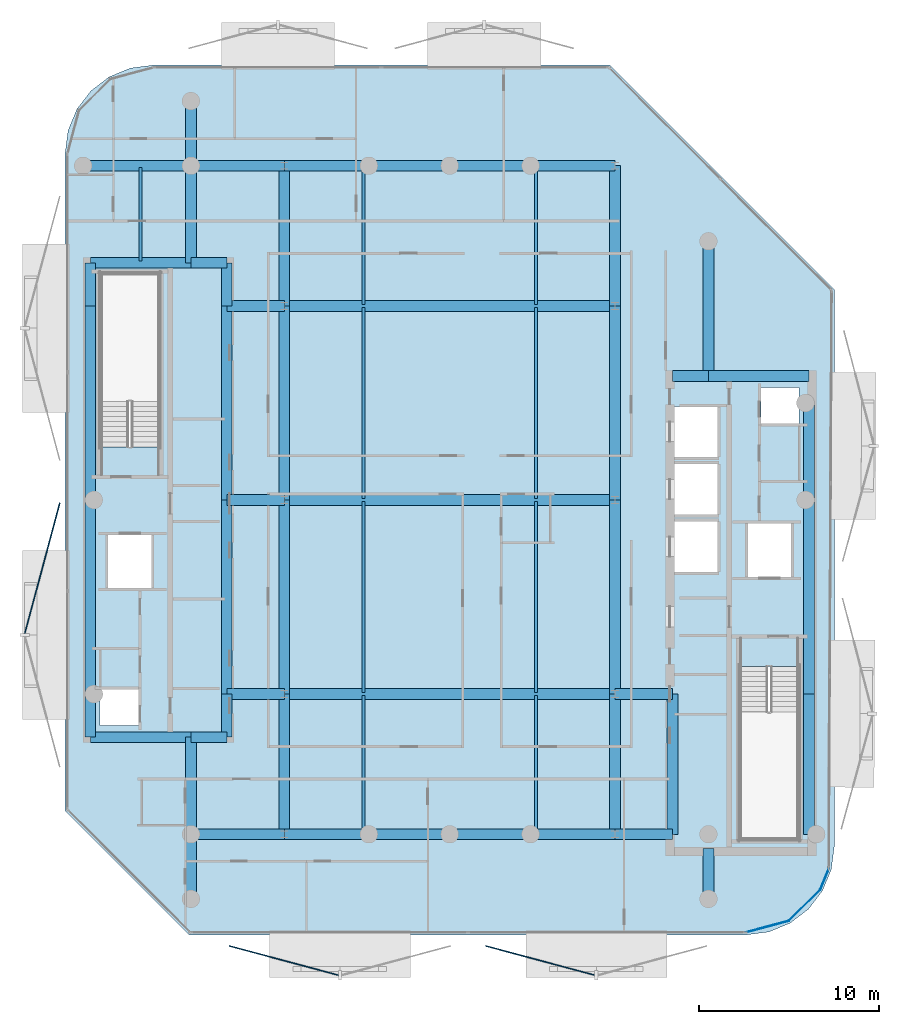
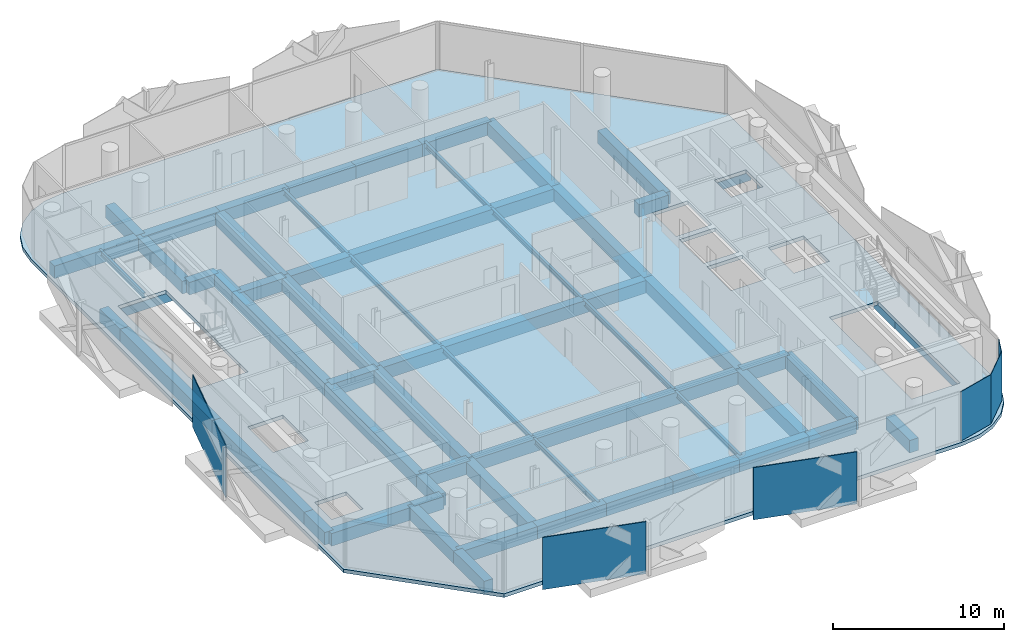
# One storey, part 3 of 16: 60 beams, 6 plates, 1 slab.
"""IFC4 building model written with IfcOpenShell, lengths in metres."""

from ifc_helpers import new_model, si_unit, direction, frame, origin, origin_2d, place, context, subcontext, project, spatial, polyline, rectangle, i_section, outline, extrude, material, layer, layer_set, material_profile, profile_set, type_object, element, save


model = new_model("IFC4")

# Units and contexts
model_context = context("Model", 3, precision=1e-05, world=origin(), true_north=direction((0.0, 1.0)))
body_context = subcontext(model_context, "Body", "Model", "MODEL_VIEW")
ifc_project = project(units=[si_unit("LENGTHUNIT", "METRE"), si_unit("AREAUNIT", "SQUARE_METRE"), si_unit("VOLUMEUNIT", "CUBIC_METRE"), si_unit("PLANEANGLEUNIT", "RADIAN"), si_unit("MASSUNIT", "GRAM", prefix="KILO")], contexts=[model_context])

# Site, building, storey
site_placement = place(None, origin())
site = spatial("IfcSite", under=ifc_project, at=site_placement, CompositionType="ELEMENT")
building_placement = place(site_placement, origin())
building = spatial("IfcBuilding", under=site, at=building_placement, Name="Khairoan Windgate Tower", CompositionType="ELEMENT")
storey_placement = place(building_placement, frame((0.0, 0.0, 292.800048828125)))
storey = spatial("IfcBuildingStorey", under=building, at=storey_placement, Name="L70", CompositionType="ELEMENT", Elevation=292.800048828125)

# Beams
ifc_material_1 = material(Name="Concrete C50/60", Category="concrete")
ifc_material_profile_1 = material_profile(ifc_material_1, rectangle(XDim=0.60009765625, YDim=0.89990234375, at=origin_2d()))
ifc_profile_set_1 = profile_set([ifc_material_profile_1], Name="Concrete C50/60")
beam_type_1 = type_object("IfcBeamType", Name="Beam B-RC1 RC600x900", PredefinedType="BEAM", material=ifc_profile_set_1)
beam_1_placement = place(storey_placement, frame((-14.39990234375, -18.60009765625, -0.7099609375), z_axis=(1.0, 0.0, 0.0), x_axis=(0.0, 1.0, 0.0)))
element("IfcBeam", 1, at=beam_1_placement, inside=storey, type_object=beam_type_1, Name="L70 E-W Primary Girder 01", PredefinedType="BEAM", context=body_context, shape_type="SweptSolid", body=[
    extrude(rectangle(XDim=0.60009765625, YDim=0.89990234375, at=origin_2d()), origin(), (0.0, 0.0, 1.0), 5.199951171875),
])
beam_2_placement = place(storey_placement, frame((-9.199951171875, -18.60009765625, -0.7099609375), z_axis=(1.0, 0.0, 0.0), x_axis=(0.0, 1.0, 0.0)))
element("IfcBeam", 2, at=beam_2_placement, inside=storey, type_object=beam_type_1, Name="L70 E-W Primary Girder 02", PredefinedType="BEAM", context=body_context, shape_type="SweptSolid", body=[
    extrude(rectangle(XDim=0.60009765625, YDim=0.89990234375, at=origin_2d()), origin(), (0.0, 0.0, 1.0), 4.699951171875),
])
for number, where, z_axis, x_axis, name in (
    (3, (-4.5, -18.60009765625, -0.7099609375), (1.0, 0.0, 0.0), (0.0, 1.0, 0.0), "L70 E-W Primary Girder 03"),
    (4, (0.0, -18.60009765625, -0.7099609375), (1.0, 0.0, 0.0), (0.0, 1.0, 0.0), "L70 E-W Primary Girder 04"),
):
    element("IfcBeam", number, at=place(storey_placement, frame(where, z_axis=z_axis, x_axis=x_axis)), inside=storey, type_object=beam_type_1, Name=name, PredefinedType="BEAM", context=body_context, shape_type="SweptSolid", body=[
        extrude(rectangle(XDim=0.60009765625, YDim=0.89990234375, at=origin_2d()), origin(), (0.0, 0.0, 1.0), 4.5),
    ])
beam_3_placement = place(storey_placement, frame((4.5, -18.60009765625, -0.7099609375), z_axis=(1.0, 0.0, 0.0), x_axis=(0.0, 1.0, 0.0)))
element("IfcBeam", 5, at=beam_3_placement, inside=storey, type_object=beam_type_1, Name="L70 E-W Primary Girder 05", PredefinedType="BEAM", context=body_context, shape_type="SweptSolid", body=[
    extrude(rectangle(XDim=0.60009765625, YDim=0.89990234375, at=origin_2d()), origin(), (0.0, 0.0, 1.0), 4.699951171875),
])
beam_4_placement = place(storey_placement, frame((9.199951171875, -18.60009765625, -0.7099609375), z_axis=(1.0, 0.0, 0.0), x_axis=(0.0, 1.0, 0.0)))
element("IfcBeam", 6, at=beam_4_placement, inside=storey, type_object=beam_type_1, Name="L70 E-W Primary Girder 06", PredefinedType="BEAM", context=body_context, shape_type="SweptSolid", body=[
    extrude(rectangle(XDim=0.60009765625, YDim=0.89990234375, at=origin_2d()), origin(), (0.0, 0.0, 1.0), 3.199951171875),
])
beam_5_placement = place(storey_placement, frame((-20.0, -13.199951171875, -0.7099609375), z_axis=(1.0, 0.0, 0.0), x_axis=(0.0, 1.0, 0.0)))
element("IfcBeam", 7, at=beam_5_placement, inside=storey, type_object=beam_type_1, Name="L70 E-W Primary Girder 07", PredefinedType="BEAM", context=body_context, shape_type="SweptSolid", body=[
    extrude(rectangle(XDim=0.60009765625, YDim=0.89990234375, at=origin_2d()), origin(), (0.0, 0.0, 1.0), 5.60009765625),
])
beam_6_placement = place(storey_placement, frame((-14.39990234375, -13.199951171875, -0.7099609375), z_axis=(1.0, 0.0, 0.0), x_axis=(0.0, 1.0, 0.0)))
element("IfcBeam", 8, at=beam_6_placement, inside=storey, type_object=beam_type_1, Name="L70 E-W Primary Girder 08", PredefinedType="BEAM", context=body_context, shape_type="SweptSolid", body=[
    extrude(rectangle(XDim=0.60009765625, YDim=0.89990234375, at=origin_2d()), origin(), (0.0, 0.0, 1.0), 2.0),
])
beam_7_placement = place(storey_placement, frame((-12.39990234375, -10.800048828125, -0.7099609375), z_axis=(1.0, 0.0, 0.0), x_axis=(0.0, 1.0, 0.0)))
element("IfcBeam", 9, at=beam_7_placement, inside=storey, type_object=beam_type_1, Name="L70 E-W Primary Girder 09", PredefinedType="BEAM", context=body_context, shape_type="SweptSolid", body=[
    extrude(rectangle(XDim=0.60009765625, YDim=0.89990234375, at=origin_2d()), origin(), (0.0, 0.0, 1.0), 3.199951171875),
])
beam_8_placement = place(storey_placement, frame((-9.199951171875, -10.800048828125, -0.7099609375), z_axis=(1.0, 0.0, 0.0), x_axis=(0.0, 1.0, 0.0)))
element("IfcBeam", 10, at=beam_8_placement, inside=storey, type_object=beam_type_1, Name="L70 E-W Primary Girder 10", PredefinedType="BEAM", context=body_context, shape_type="SweptSolid", body=[
    extrude(rectangle(XDim=0.60009765625, YDim=0.89990234375, at=origin_2d()), origin(), (0.0, 0.0, 1.0), 18.39990234375),
])
for number, where, z_axis, x_axis, name in (
    (11, (9.199951171875, -10.800048828125, -0.7099609375), (1.0, 0.0, 0.0), (0.0, 1.0, 0.0), "L70 E-W Primary Girder 11"),
    (12, (-12.39990234375, 0.0, -0.7099609375), (1.0, 0.0, 0.0), (0.0, 1.0, 0.0), "L70 E-W Primary Girder 12"),
):
    element("IfcBeam", number, at=place(storey_placement, frame(where, z_axis=z_axis, x_axis=x_axis)), inside=storey, type_object=beam_type_1, Name=name, PredefinedType="BEAM", context=body_context, shape_type="SweptSolid", body=[
        extrude(rectangle(XDim=0.60009765625, YDim=0.89990234375, at=origin_2d()), origin(), (0.0, 0.0, 1.0), 3.199951171875),
    ])
beam_9_placement = place(storey_placement, frame((-9.199951171875, 0.0, -0.7099609375), z_axis=(1.0, 0.0, 0.0), x_axis=(0.0, 1.0, 0.0)))
element("IfcBeam", 13, at=beam_9_placement, inside=storey, type_object=beam_type_1, Name="L70 E-W Primary Girder 13", PredefinedType="BEAM", context=body_context, shape_type="SweptSolid", body=[
    extrude(rectangle(XDim=0.60009765625, YDim=0.89990234375, at=origin_2d()), origin(), (0.0, 0.0, 1.0), 18.39990234375),
])
beam_10_placement = place(storey_placement, frame((12.39990234375, 6.89990234375, -0.7099609375), z_axis=(1.0, 0.0, 0.0), x_axis=(0.0, 1.0, 0.0)))
element("IfcBeam", 14, at=beam_10_placement, inside=storey, type_object=beam_type_1, Name="L70 E-W Primary Girder 14", PredefinedType="BEAM", context=body_context, shape_type="SweptSolid", body=[
    extrude(rectangle(XDim=0.60009765625, YDim=0.89990234375, at=origin_2d()), origin(), (0.0, 0.0, 1.0), 2.0),
])
beam_11_placement = place(storey_placement, frame((14.39990234375, 6.89990234375, -0.7099609375), z_axis=(1.0, 0.0, 0.0), x_axis=(0.0, 1.0, 0.0)))
element("IfcBeam", 15, at=beam_11_placement, inside=storey, type_object=beam_type_1, Name="L70 E-W Primary Girder 15", PredefinedType="BEAM", context=body_context, shape_type="SweptSolid", body=[
    extrude(rectangle(XDim=0.60009765625, YDim=0.89990234375, at=origin_2d()), origin(), (0.0, 0.0, 1.0), 5.60009765625),
])
beam_12_placement = place(storey_placement, frame((-12.39990234375, 10.800048828125, -0.7099609375), z_axis=(1.0, 0.0, 0.0), x_axis=(0.0, 1.0, 0.0)))
element("IfcBeam", 16, at=beam_12_placement, inside=storey, type_object=beam_type_1, Name="L70 E-W Primary Girder 16", PredefinedType="BEAM", context=body_context, shape_type="SweptSolid", body=[
    extrude(rectangle(XDim=0.60009765625, YDim=0.89990234375, at=origin_2d()), origin(), (0.0, 0.0, 1.0), 3.199951171875),
])
beam_13_placement = place(storey_placement, frame((-9.199951171875, 10.800048828125, -0.7099609375), z_axis=(1.0, 0.0, 0.0), x_axis=(0.0, 1.0, 0.0)))
element("IfcBeam", 17, at=beam_13_placement, inside=storey, type_object=beam_type_1, Name="L70 E-W Primary Girder 17", PredefinedType="BEAM", context=body_context, shape_type="SweptSolid", body=[
    extrude(rectangle(XDim=0.60009765625, YDim=0.89990234375, at=origin_2d()), origin(), (0.0, 0.0, 1.0), 18.39990234375),
])
beam_14_placement = place(storey_placement, frame((-20.0, 13.199951171875, -0.7099609375), z_axis=(1.0, 0.0, 0.0), x_axis=(0.0, 1.0, 0.0)))
element("IfcBeam", 18, at=beam_14_placement, inside=storey, type_object=beam_type_1, Name="L70 E-W Primary Girder 18", PredefinedType="BEAM", context=body_context, shape_type="SweptSolid", body=[
    extrude(rectangle(XDim=0.60009765625, YDim=0.89990234375, at=origin_2d()), origin(), (0.0, 0.0, 1.0), 5.60009765625),
])
beam_15_placement = place(storey_placement, frame((-14.39990234375, 13.199951171875, -0.7099609375), z_axis=(1.0, 0.0, 0.0), x_axis=(0.0, 1.0, 0.0)))
element("IfcBeam", 19, at=beam_15_placement, inside=storey, type_object=beam_type_1, Name="L70 E-W Primary Girder 19", PredefinedType="BEAM", context=body_context, shape_type="SweptSolid", body=[
    extrude(rectangle(XDim=0.60009765625, YDim=0.89990234375, at=origin_2d()), origin(), (0.0, 0.0, 1.0), 2.0),
])
beam_16_placement = place(storey_placement, frame((-20.39990234375, 18.60009765625, -0.7099609375), z_axis=(1.0, 0.0, 0.0), x_axis=(0.0, 1.0, 0.0)))
element("IfcBeam", 20, at=beam_16_placement, inside=storey, type_object=beam_type_1, Name="L70 E-W Primary Girder 20", PredefinedType="BEAM", context=body_context, shape_type="SweptSolid", body=[
    extrude(rectangle(XDim=0.60009765625, YDim=0.89990234375, at=origin_2d()), origin(), (0.0, 0.0, 1.0), 6.0),
])
beam_17_placement = place(storey_placement, frame((-14.39990234375, 18.60009765625, -0.7099609375), z_axis=(1.0, 0.0, 0.0), x_axis=(0.0, 1.0, 0.0)))
element("IfcBeam", 21, at=beam_17_placement, inside=storey, type_object=beam_type_1, Name="L70 E-W Primary Girder 21", PredefinedType="BEAM", context=body_context, shape_type="SweptSolid", body=[
    extrude(rectangle(XDim=0.60009765625, YDim=0.89990234375, at=origin_2d()), origin(), (0.0, 0.0, 1.0), 5.199951171875),
])
beam_18_placement = place(storey_placement, frame((-9.199951171875, 18.60009765625, -0.7099609375), z_axis=(1.0, 0.0, 0.0), x_axis=(0.0, 1.0, 0.0)))
element("IfcBeam", 22, at=beam_18_placement, inside=storey, type_object=beam_type_1, Name="L70 E-W Primary Girder 22", PredefinedType="BEAM", context=body_context, shape_type="SweptSolid", body=[
    extrude(rectangle(XDim=0.60009765625, YDim=0.89990234375, at=origin_2d()), origin(), (0.0, 0.0, 1.0), 4.699951171875),
])
for number, where, z_axis, x_axis, name in (
    (23, (-4.5, 18.60009765625, -0.7099609375), (1.0, 0.0, 0.0), (0.0, 1.0, 0.0), "L70 E-W Primary Girder 23"),
    (24, (0.0, 18.60009765625, -0.7099609375), (1.0, 0.0, 0.0), (0.0, 1.0, 0.0), "L70 E-W Primary Girder 24"),
):
    element("IfcBeam", number, at=place(storey_placement, frame(where, z_axis=z_axis, x_axis=x_axis)), inside=storey, type_object=beam_type_1, Name=name, PredefinedType="BEAM", context=body_context, shape_type="SweptSolid", body=[
        extrude(rectangle(XDim=0.60009765625, YDim=0.89990234375, at=origin_2d()), origin(), (0.0, 0.0, 1.0), 4.5),
    ])
beam_19_placement = place(storey_placement, frame((4.5, 18.60009765625, -0.7099609375), z_axis=(1.0, 0.0, 0.0), x_axis=(0.0, 1.0, 0.0)))
element("IfcBeam", 25, at=beam_19_placement, inside=storey, type_object=beam_type_1, Name="L70 E-W Primary Girder 25", PredefinedType="BEAM", context=body_context, shape_type="SweptSolid", body=[
    extrude(rectangle(XDim=0.60009765625, YDim=0.89990234375, at=origin_2d()), origin(), (0.0, 0.0, 1.0), 4.699951171875),
])
beam_20_placement = place(storey_placement, frame((-20.0, -13.199951171875, -0.7099609375), z_axis=(0.0, 1.0, 0.0), x_axis=(-1.0, 0.0, 0.0)))
element("IfcBeam", 26, at=beam_20_placement, inside=storey, type_object=beam_type_1, Name="L70 N-S Primary Beam 26", PredefinedType="BEAM", context=body_context, shape_type="SweptSolid", body=[
    extrude(rectangle(XDim=0.60009765625, YDim=0.89990234375, at=origin_2d()), origin(), (0.0, 0.0, 1.0), 2.39990234375),
])
for number, where, z_axis, x_axis, name in (
    (27, (-20.0, -10.800048828125, -0.7099609375), (0.0, 1.0, 0.0), (-1.0, 0.0, 0.0), "L70 N-S Primary Beam 27"),
    (28, (-20.0, 0.0, -0.7099609375), (0.0, 1.0, 0.0), (-1.0, 0.0, 0.0), "L70 N-S Primary Beam 28"),
):
    element("IfcBeam", number, at=place(storey_placement, frame(where, z_axis=z_axis, x_axis=x_axis)), inside=storey, type_object=beam_type_1, Name=name, PredefinedType="BEAM", context=body_context, shape_type="SweptSolid", body=[
        extrude(rectangle(XDim=0.60009765625, YDim=0.89990234375, at=origin_2d()), origin(), (0.0, 0.0, 1.0), 10.800048828125),
    ])
beam_21_placement = place(storey_placement, frame((-20.0, 10.800048828125, -0.7099609375), z_axis=(0.0, 1.0, 0.0), x_axis=(-1.0, 0.0, 0.0)))
element("IfcBeam", 29, at=beam_21_placement, inside=storey, type_object=beam_type_1, Name="L70 N-S Primary Beam 29", PredefinedType="BEAM", context=body_context, shape_type="SweptSolid", body=[
    extrude(rectangle(XDim=0.60009765625, YDim=0.89990234375, at=origin_2d()), origin(), (0.0, 0.0, 1.0), 2.39990234375),
])
beam_22_placement = place(storey_placement, frame((-14.39990234375, -22.199951171875, -0.7099609375), z_axis=(0.0, 1.0, 0.0), x_axis=(-1.0, 0.0, 0.0)))
element("IfcBeam", 30, at=beam_22_placement, inside=storey, type_object=beam_type_1, Name="L70 N-S Primary Beam 30", PredefinedType="BEAM", context=body_context, shape_type="SweptSolid", body=[
    extrude(rectangle(XDim=0.60009765625, YDim=0.89990234375, at=origin_2d()), origin(), (0.0, 0.0, 1.0), 3.599853515625),
])
for number, where, z_axis, x_axis, name in (
    (31, (-14.39990234375, -18.60009765625, -0.7099609375), (0.0, 1.0, 0.0), (-1.0, 0.0, 0.0), "L70 N-S Primary Beam 31"),
    (32, (-14.39990234375, 13.199951171875, -0.7099609375), (0.0, 1.0, 0.0), (-1.0, 0.0, 0.0), "L70 N-S Primary Beam 32"),
):
    element("IfcBeam", number, at=place(storey_placement, frame(where, z_axis=z_axis, x_axis=x_axis)), inside=storey, type_object=beam_type_1, Name=name, PredefinedType="BEAM", context=body_context, shape_type="SweptSolid", body=[
        extrude(rectangle(XDim=0.60009765625, YDim=0.89990234375, at=origin_2d()), origin(), (0.0, 0.0, 1.0), 5.400146484375),
    ])
beam_23_placement = place(storey_placement, frame((-14.39990234375, 18.60009765625, -0.7099609375), z_axis=(0.0, 1.0, 0.0), x_axis=(-1.0, 0.0, 0.0)))
element("IfcBeam", 33, at=beam_23_placement, inside=storey, type_object=beam_type_1, Name="L70 N-S Primary Beam 33", PredefinedType="BEAM", context=body_context, shape_type="SweptSolid", body=[
    extrude(rectangle(XDim=0.60009765625, YDim=0.89990234375, at=origin_2d()), origin(), (0.0, 0.0, 1.0), 3.599853515625),
])
beam_24_placement = place(storey_placement, frame((-12.39990234375, -13.199951171875, -0.7099609375), z_axis=(0.0, 1.0, 0.0), x_axis=(-1.0, 0.0, 0.0)))
element("IfcBeam", 34, at=beam_24_placement, inside=storey, type_object=beam_type_1, Name="L70 N-S Primary Beam 34", PredefinedType="BEAM", context=body_context, shape_type="SweptSolid", body=[
    extrude(rectangle(XDim=0.60009765625, YDim=0.89990234375, at=origin_2d()), origin(), (0.0, 0.0, 1.0), 2.39990234375),
])
for number, where, z_axis, x_axis, name in (
    (35, (-12.39990234375, -10.800048828125, -0.7099609375), (0.0, 1.0, 0.0), (-1.0, 0.0, 0.0), "L70 N-S Primary Beam 35"),
    (36, (-12.39990234375, 0.0, -0.7099609375), (0.0, 1.0, 0.0), (-1.0, 0.0, 0.0), "L70 N-S Primary Beam 36"),
):
    element("IfcBeam", number, at=place(storey_placement, frame(where, z_axis=z_axis, x_axis=x_axis)), inside=storey, type_object=beam_type_1, Name=name, PredefinedType="BEAM", context=body_context, shape_type="SweptSolid", body=[
        extrude(rectangle(XDim=0.60009765625, YDim=0.89990234375, at=origin_2d()), origin(), (0.0, 0.0, 1.0), 10.800048828125),
    ])
beam_25_placement = place(storey_placement, frame((-12.39990234375, 10.800048828125, -0.7099609375), z_axis=(0.0, 1.0, 0.0), x_axis=(-1.0, 0.0, 0.0)))
element("IfcBeam", 37, at=beam_25_placement, inside=storey, type_object=beam_type_1, Name="L70 N-S Primary Beam 37", PredefinedType="BEAM", context=body_context, shape_type="SweptSolid", body=[
    extrude(rectangle(XDim=0.60009765625, YDim=0.89990234375, at=origin_2d()), origin(), (0.0, 0.0, 1.0), 2.39990234375),
])
beam_26_placement = place(storey_placement, frame((-9.199951171875, -18.60009765625, -0.7099609375), z_axis=(0.0, 1.0, 0.0), x_axis=(-1.0, 0.0, 0.0)))
element("IfcBeam", 38, at=beam_26_placement, inside=storey, type_object=beam_type_1, Name="L70 N-S Primary Beam 38", PredefinedType="BEAM", context=body_context, shape_type="SweptSolid", body=[
    extrude(rectangle(XDim=0.60009765625, YDim=0.89990234375, at=origin_2d()), origin(), (0.0, 0.0, 1.0), 7.800048828125),
])
for number, where, z_axis, x_axis, name in (
    (39, (-9.199951171875, -10.800048828125, -0.7099609375), (0.0, 1.0, 0.0), (-1.0, 0.0, 0.0), "L70 N-S Primary Beam 39"),
    (40, (-9.199951171875, 0.0, -0.7099609375), (0.0, 1.0, 0.0), (-1.0, 0.0, 0.0), "L70 N-S Primary Beam 40"),
):
    element("IfcBeam", number, at=place(storey_placement, frame(where, z_axis=z_axis, x_axis=x_axis)), inside=storey, type_object=beam_type_1, Name=name, PredefinedType="BEAM", context=body_context, shape_type="SweptSolid", body=[
        extrude(rectangle(XDim=0.60009765625, YDim=0.89990234375, at=origin_2d()), origin(), (0.0, 0.0, 1.0), 10.800048828125),
    ])
for number, where, z_axis, x_axis, name in (
    (41, (-9.199951171875, 10.800048828125, -0.7099609375), (0.0, 1.0, 0.0), (-1.0, 0.0, 0.0), "L70 N-S Primary Beam 41"),
    (42, (9.199951171875, -18.60009765625, -0.7099609375), (0.0, 1.0, 0.0), (-1.0, 0.0, 0.0), "L70 N-S Primary Beam 42"),
):
    element("IfcBeam", number, at=place(storey_placement, frame(where, z_axis=z_axis, x_axis=x_axis)), inside=storey, type_object=beam_type_1, Name=name, PredefinedType="BEAM", context=body_context, shape_type="SweptSolid", body=[
        extrude(rectangle(XDim=0.60009765625, YDim=0.89990234375, at=origin_2d()), origin(), (0.0, 0.0, 1.0), 7.800048828125),
    ])
for number, where, z_axis, x_axis, name in (
    (43, (9.199951171875, -10.800048828125, -0.7099609375), (0.0, 1.0, 0.0), (-1.0, 0.0, 0.0), "L70 N-S Primary Beam 43"),
    (44, (9.199951171875, 0.0, -0.7099609375), (0.0, 1.0, 0.0), (-1.0, 0.0, 0.0), "L70 N-S Primary Beam 44"),
):
    element("IfcBeam", number, at=place(storey_placement, frame(where, z_axis=z_axis, x_axis=x_axis)), inside=storey, type_object=beam_type_1, Name=name, PredefinedType="BEAM", context=body_context, shape_type="SweptSolid", body=[
        extrude(rectangle(XDim=0.60009765625, YDim=0.89990234375, at=origin_2d()), origin(), (0.0, 0.0, 1.0), 10.800048828125),
    ])
for number, where, z_axis, x_axis, name in (
    (45, (9.199951171875, 10.800048828125, -0.7099609375), (0.0, 1.0, 0.0), (-1.0, 0.0, 0.0), "L70 N-S Primary Beam 45"),
    (46, (12.39990234375, -18.60009765625, -0.7099609375), (0.0, 1.0, 0.0), (-1.0, 0.0, 0.0), "L70 N-S Primary Beam 46"),
):
    element("IfcBeam", number, at=place(storey_placement, frame(where, z_axis=z_axis, x_axis=x_axis)), inside=storey, type_object=beam_type_1, Name=name, PredefinedType="BEAM", context=body_context, shape_type="SweptSolid", body=[
        extrude(rectangle(XDim=0.60009765625, YDim=0.89990234375, at=origin_2d()), origin(), (0.0, 0.0, 1.0), 7.800048828125),
    ])
beam_27_placement = place(storey_placement, frame((14.39990234375, -22.199951171875, -0.7099609375), z_axis=(0.0, 1.0, 0.0), x_axis=(-1.0, 0.0, 0.0)))
element("IfcBeam", 47, at=beam_27_placement, inside=storey, type_object=beam_type_1, Name="L70 N-S Primary Beam 47", PredefinedType="BEAM", context=body_context, shape_type="SweptSolid", body=[
    extrude(rectangle(XDim=0.60009765625, YDim=0.89990234375, at=origin_2d()), origin(), (0.0, 0.0, 1.0), 2.800048828125),
])
beam_28_placement = place(storey_placement, frame((14.39990234375, 6.89990234375, -0.7099609375), z_axis=(0.0, 1.0, 0.0), x_axis=(-1.0, 0.0, 0.0)))
element("IfcBeam", 48, at=beam_28_placement, inside=storey, type_object=beam_type_1, Name="L70 N-S Primary Beam 48", PredefinedType="BEAM", context=body_context, shape_type="SweptSolid", body=[
    extrude(rectangle(XDim=0.60009765625, YDim=0.89990234375, at=origin_2d()), origin(), (0.0, 0.0, 1.0), 7.5),
])
beam_29_placement = place(storey_placement, frame((20.0, -18.60009765625, -0.7099609375), z_axis=(0.0, 1.0, 0.0), x_axis=(-1.0, 0.0, 0.0)))
element("IfcBeam", 49, at=beam_29_placement, inside=storey, type_object=beam_type_1, Name="L70 N-S Primary Beam 49", PredefinedType="BEAM", context=body_context, shape_type="SweptSolid", body=[
    extrude(rectangle(XDim=0.60009765625, YDim=0.89990234375, at=origin_2d()), origin(), (0.0, 0.0, 1.0), 7.800048828125),
])
beam_30_placement = place(storey_placement, frame((20.0, -10.800048828125, -0.7099609375), z_axis=(0.0, 1.0, 0.0), x_axis=(-1.0, 0.0, 0.0)))
element("IfcBeam", 50, at=beam_30_placement, inside=storey, type_object=beam_type_1, Name="L70 N-S Primary Beam 50", PredefinedType="BEAM", context=body_context, shape_type="SweptSolid", body=[
    extrude(rectangle(XDim=0.60009765625, YDim=0.89990234375, at=origin_2d()), origin(), (0.0, 0.0, 1.0), 10.800048828125),
])
beam_31_placement = place(storey_placement, frame((20.0, 0.0, -0.7099609375), z_axis=(0.0, 1.0, 0.0), x_axis=(-1.0, 0.0, 0.0)))
element("IfcBeam", 51, at=beam_31_placement, inside=storey, type_object=beam_type_1, Name="L70 N-S Primary Beam 51", PredefinedType="BEAM", context=body_context, shape_type="SweptSolid", body=[
    extrude(rectangle(XDim=0.60009765625, YDim=0.89990234375, at=origin_2d()), origin(), (0.0, 0.0, 1.0), 5.39990234375),
])
ifc_material_2 = material(Name="Steel S355", Category="steel")
ifc_material_profile_2 = material_profile(ifc_material_2, i_section(OverallWidth=0.175048828125, OverallDepth=0.35009765625, WebThickness=0.007080078125, FlangeThickness=0.010986328125, FilletRadius=0.013916015625, at=origin_2d()))
ifc_profile_set_2 = profile_set([ifc_material_profile_2], Name="Steel S355")
beam_type_2 = type_object("IfcBeamType", Name="Beam J-S5 H350x175x7x11", PredefinedType="JOIST", material=ifc_profile_set_2)
beam_32_placement = place(storey_placement, frame((-17.199951171875, 13.2900390625, -0.43505859375), z_axis=(0.0, 1.0, 0.0), x_axis=(-1.0, 0.0, 0.0)))
element("IfcBeam", 52, at=beam_32_placement, inside=storey, type_object=beam_type_2, Name="L70 Secondary Floor Joist 01", PredefinedType="JOIST", context=body_context, shape_type="SweptSolid", body=[
    extrude(i_section(OverallWidth=0.175048828125, OverallDepth=0.35009765625, WebThickness=0.007080078125, FlangeThickness=0.010986328125, FilletRadius=0.013916015625, at=origin_2d()), origin(), (0.0, 0.0, 1.0), 5.219970703125),
])
beam_33_placement = place(storey_placement, frame((-4.800048828125, -18.510009765625, -0.43505859375), z_axis=(0.0, 1.0, 0.0), x_axis=(-1.0, 0.0, 0.0)))
element("IfcBeam", 53, at=beam_33_placement, inside=storey, type_object=beam_type_2, Name="L70 Secondary Floor Joist 02", PredefinedType="JOIST", context=body_context, shape_type="SweptSolid", body=[
    extrude(i_section(OverallWidth=0.175048828125, OverallDepth=0.35009765625, WebThickness=0.007080078125, FlangeThickness=0.010986328125, FilletRadius=0.013916015625, at=origin_2d()), origin(), (0.0, 0.0, 1.0), 7.6201171875),
])
for number, where, z_axis, x_axis, name in (
    (54, (-4.800048828125, -10.7099609375, -0.43505859375), (0.0, 1.0, 0.0), (-1.0, 0.0, 0.0), "L70 Secondary Floor Joist 03"),
    (55, (-4.800048828125, 0.090087890625, -0.43505859375), (0.0, 1.0, 0.0), (-1.0, 0.0, 0.0), "L70 Secondary Floor Joist 04"),
):
    element("IfcBeam", number, at=place(storey_placement, frame(where, z_axis=z_axis, x_axis=x_axis)), inside=storey, type_object=beam_type_2, Name=name, PredefinedType="JOIST", context=body_context, shape_type="SweptSolid", body=[
        extrude(i_section(OverallWidth=0.175048828125, OverallDepth=0.35009765625, WebThickness=0.007080078125, FlangeThickness=0.010986328125, FilletRadius=0.013916015625, at=origin_2d()), origin(), (0.0, 0.0, 1.0), 10.619873046875),
    ])
for number, where, z_axis, x_axis, name in (
    (56, (-4.800048828125, 10.889892578125, -0.43505859375), (0.0, 1.0, 0.0), (-1.0, 0.0, 0.0), "L70 Secondary Floor Joist 05"),
    (57, (4.800048828125, -18.510009765625, -0.43505859375), (0.0, 1.0, 0.0), (-1.0, 0.0, 0.0), "L70 Secondary Floor Joist 06"),
):
    element("IfcBeam", number, at=place(storey_placement, frame(where, z_axis=z_axis, x_axis=x_axis)), inside=storey, type_object=beam_type_2, Name=name, PredefinedType="JOIST", context=body_context, shape_type="SweptSolid", body=[
        extrude(i_section(OverallWidth=0.175048828125, OverallDepth=0.35009765625, WebThickness=0.007080078125, FlangeThickness=0.010986328125, FilletRadius=0.013916015625, at=origin_2d()), origin(), (0.0, 0.0, 1.0), 7.6201171875),
    ])
for number, where, z_axis, x_axis, name in (
    (58, (4.800048828125, -10.7099609375, -0.43505859375), (0.0, 1.0, 0.0), (-1.0, 0.0, 0.0), "L70 Secondary Floor Joist 07"),
    (59, (4.800048828125, 0.090087890625, -0.43505859375), (0.0, 1.0, 0.0), (-1.0, 0.0, 0.0), "L70 Secondary Floor Joist 08"),
):
    element("IfcBeam", number, at=place(storey_placement, frame(where, z_axis=z_axis, x_axis=x_axis)), inside=storey, type_object=beam_type_2, Name=name, PredefinedType="JOIST", context=body_context, shape_type="SweptSolid", body=[
        extrude(i_section(OverallWidth=0.175048828125, OverallDepth=0.35009765625, WebThickness=0.007080078125, FlangeThickness=0.010986328125, FilletRadius=0.013916015625, at=origin_2d()), origin(), (0.0, 0.0, 1.0), 10.619873046875),
    ])
beam_34_placement = place(storey_placement, frame((4.800048828125, 10.889892578125, -0.43505859375), z_axis=(0.0, 1.0, 0.0), x_axis=(-1.0, 0.0, 0.0)))
element("IfcBeam", 60, at=beam_34_placement, inside=storey, type_object=beam_type_2, Name="L70 Secondary Floor Joist 09", PredefinedType="JOIST", context=body_context, shape_type="SweptSolid", body=[
    extrude(i_section(OverallWidth=0.175048828125, OverallDepth=0.35009765625, WebThickness=0.007080078125, FlangeThickness=0.010986328125, FilletRadius=0.013916015625, at=origin_2d()), origin(), (0.0, 0.0, 1.0), 7.6201171875),
])

# Plates
ifc_material_3 = material(Name="Low-E Solar Control Laminated Glass", Category="glass")
ifc_layer_1 = layer(ifc_material_3, 0.030029296875, Name="Low-E Solar Control Laminated Glass")
ifc_layer_set_1 = layer_set([ifc_layer_1], Name="Low-E Solar Control Laminated Glass")
plate_type_1 = type_object("IfcPlateType", Name="Aerodynamic Wind-Corner Curved Glazing Plate", PredefinedType="USERDEFINED", material=ifc_layer_set_1)
plate_1_placement = place(storey_placement, frame((20.85888671875, -21.105712890625, 0.0), z_axis=(0.0, 0.0, 1.0), x_axis=(-0.382683432365, -0.923879532511, 0.0)))
element("IfcPlate", 61, at=plate_1_placement, inside=storey, type_object=plate_type_1, Name="L70 Aerodynamic Wind-Corner Curved Glazing Panel 10", ObjectType="GLAZING PANEL", PredefinedType="USERDEFINED", context=body_context, shape_type="SweptSolid", body=[
    extrude(rectangle(XDim=1.2822265625, YDim=0.035888671875, at=origin_2d()), origin(), (0.0, 0.0, 1.0), 3.5400390625),
])
plate_2_placement = place(storey_placement, frame((19.750244140625, -22.55029296875, 0.0), z_axis=(0.0, 0.0, 1.0), x_axis=(-0.707106781187, -0.707106781187, 0.0)))
element("IfcPlate", 62, at=plate_2_placement, inside=storey, type_object=plate_type_1, Name="L70 Aerodynamic Wind-Corner Curved Glazing Panel 11", ObjectType="GLAZING PANEL", PredefinedType="USERDEFINED", context=body_context, shape_type="SweptSolid", body=[
    extrude(rectangle(XDim=2.50341796875, YDim=0.035888671875, at=origin_2d()), origin(), (0.0, 0.0, 1.0), 3.5400390625),
])
plate_3_placement = place(storey_placement, frame((17.68505859375, -23.740478515625, 0.0), z_axis=(0.0, 0.0, 1.0), x_axis=(-0.966061211211, -0.258313252067, 0.0)))
element("IfcPlate", 63, at=plate_3_placement, inside=storey, type_object=plate_type_1, Name="L70 Aerodynamic Wind-Corner Curved Glazing Panel 12", ObjectType="GLAZING PANEL", PredefinedType="USERDEFINED", context=body_context, shape_type="SweptSolid", body=[
    extrude(rectangle(XDim=2.512451171875, YDim=0.035888671875, at=origin_2d()), origin(), (0.0, 0.0, 1.0), 3.5400390625),
])
ifc_material_4 = material(Name="Anodised Bronze Aluminium 6063-T6", Category="aluminium")
ifc_layer_2 = layer(ifc_material_4, 0.054931640625, Name="Anodised Bronze Aluminium 6063-T6")
ifc_layer_set_2 = layer_set([ifc_layer_2], Name="Anodised Bronze Aluminium 6063-T6")
plate_type_2 = type_object("IfcPlateType", Name="Perforated Bronze Solar Screen Upper Panel BSP-2", PredefinedType="USERDEFINED", material=ifc_layer_set_2)
for number, where, z_axis, x_axis, name in (
    (64, (5.035888671875, -25.627685546875, -0.10009765625), (0.0, 0.0, 1.0), (-0.965925826289, 0.258819045103, 0.0), "L70 Perforated Bronze Solar Screen Panel 486R"),
    (65, (-9.23046875, -25.627685546875, -0.10009765625), (0.0, 0.0, 1.0), (-0.965925826289, 0.258819045103, 0.0), "L70 Perforated Bronze Solar Screen Panel 487R"),
):
    element("IfcPlate", number, at=place(storey_placement, frame(where, z_axis=z_axis, x_axis=x_axis)), inside=storey, type_object=plate_type_2, Name=name, ObjectType="SCREEN", PredefinedType="USERDEFINED", context=body_context, shape_type="SweptSolid", body=[
        extrude(rectangle(XDim=6.277099609375, YDim=0.054931640625, at=origin_2d()), origin(), (0.0, 0.0, 1.0), 3.739990234375),
    ])
plate_4_placement = place(storey_placement, frame((-22.668212890625, -3.792236328125, -0.10009765625), z_axis=(0.0, 0.0, 1.0), x_axis=(0.258819045103, 0.965925826289, 0.0)))
element("IfcPlate", 66, at=plate_4_placement, inside=storey, type_object=plate_type_2, Name="L70 Perforated Bronze Solar Screen Panel 488R", ObjectType="SCREEN", PredefinedType="USERDEFINED", context=body_context, shape_type="SweptSolid", body=[
    extrude(rectangle(XDim=7.509033203125, YDim=0.054931640625, at=origin_2d()), origin(), (0.0, 0.0, 1.0), 3.739990234375),
])

# Slab
ifc_material_5 = material(Name="Concrete C40/50", Category="concrete")
ifc_layer_3 = layer(ifc_material_5, 0.260009765625, Name="Concrete C40/50")
ifc_layer_set_3 = layer_set([ifc_layer_3], Name="Concrete C40/50")
slab_type = type_object("IfcSlabType", Name="Tower Composite Floor Slab FS2 260mm", PredefinedType="FLOOR", material=ifc_layer_set_3)
slab_placement = place(storey_placement, frame((0.0, 0.0, -0.260009765625)))
element("IfcSlab", 67, at=slab_placement, inside=storey, type_object=slab_type, Name="L70 Structural Floor Slab", PredefinedType="FLOOR", context=body_context, shape_type="SweptSolid", body=[
    extrude(outline(polyline([(16.5, -24.199951171875), (17.768310546875, -24.032958984375), (18.949951171875, -23.54345703125), (19.96484375, -22.764892578125), (20.743408203125, -21.75), (21.23291015625, -20.568115234375), (21.39990234375, -19.300048828125), (21.39990234375, 11.719970703125), (8.919921875, 24.199951171875), (-16.5, 24.199951171875), (-17.768310546875, 24.032958984375), (-18.949951171875, 23.54345703125), (-19.96484375, 22.764892578125), (-20.743408203125, 21.75), (-21.23291015625, 20.568115234375), (-21.39990234375, 19.300048828125), (-21.39990234375, -17.300048828125), (-14.5, -24.199951171875), (16.5, -24.199951171875)]), holes=[polyline([(16.14990234375, -9.260009765625), (16.14990234375, -18.89990234375), (19.419921875, -18.89990234375), (19.419921875, -9.260009765625), (16.14990234375, -9.260009765625)]), polyline([(-16.14990234375, 2.9599609375), (-16.14990234375, 12.60009765625), (-19.419921875, 12.60009765625), (-19.419921875, 2.9599609375), (-16.14990234375, 2.9599609375)]), polyline([(12.5, 2.39990234375), (14.89990234375, 2.39990234375), (14.89990234375, 5.199951171875), (12.5, 5.199951171875), (12.5, 2.39990234375)]), polyline([(12.5, -0.800048828125), (14.89990234375, -0.800048828125), (14.89990234375, 2.0), (12.5, 2.0), (12.5, -0.800048828125)]), polyline([(12.5, -4.0), (14.89990234375, -4.0), (14.89990234375, -1.199951171875), (12.5, -1.199951171875), (12.5, -4.0)]), polyline([(16.60009765625, -4.300048828125), (19.0, -4.300048828125), (19.0, -1.300048828125), (16.60009765625, -1.300048828125), (16.60009765625, -4.300048828125)]), polyline([(-19.0, -4.89990234375), (-16.60009765625, -4.89990234375), (-16.60009765625, -1.89990234375), (-19.0, -1.89990234375), (-19.0, -4.89990234375)]), polyline([(-19.449951171875, -12.550048828125), (-17.31005859375, -12.550048828125), (-17.31005859375, -10.550048828125), (-19.449951171875, -10.550048828125), (-19.449951171875, -12.550048828125)]), polyline([(17.31005859375, 4.25), (19.449951171875, 4.25), (19.449951171875, 6.25), (17.31005859375, 6.25), (17.31005859375, 4.25)])]), origin(), (0.0, 0.0, 1.0), 0.260009765625),
])

save(model, "model.ifc")
